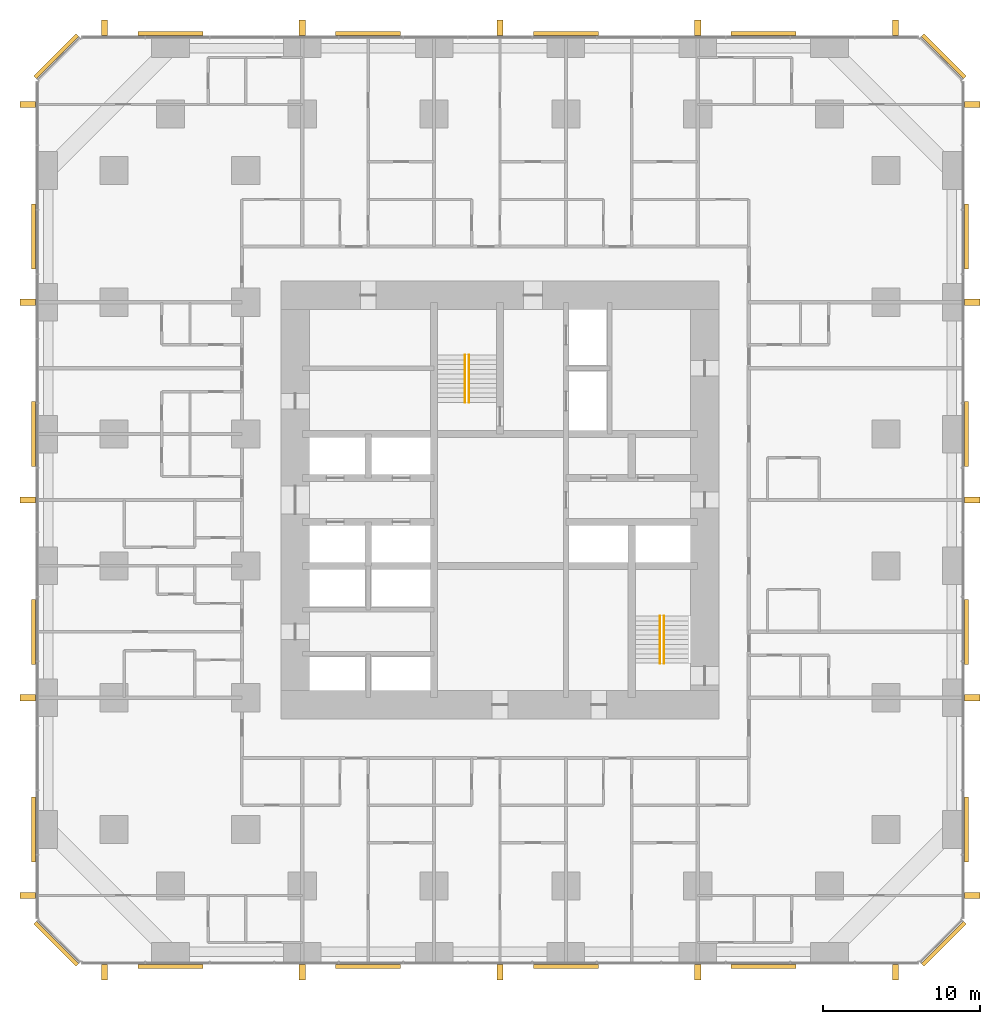
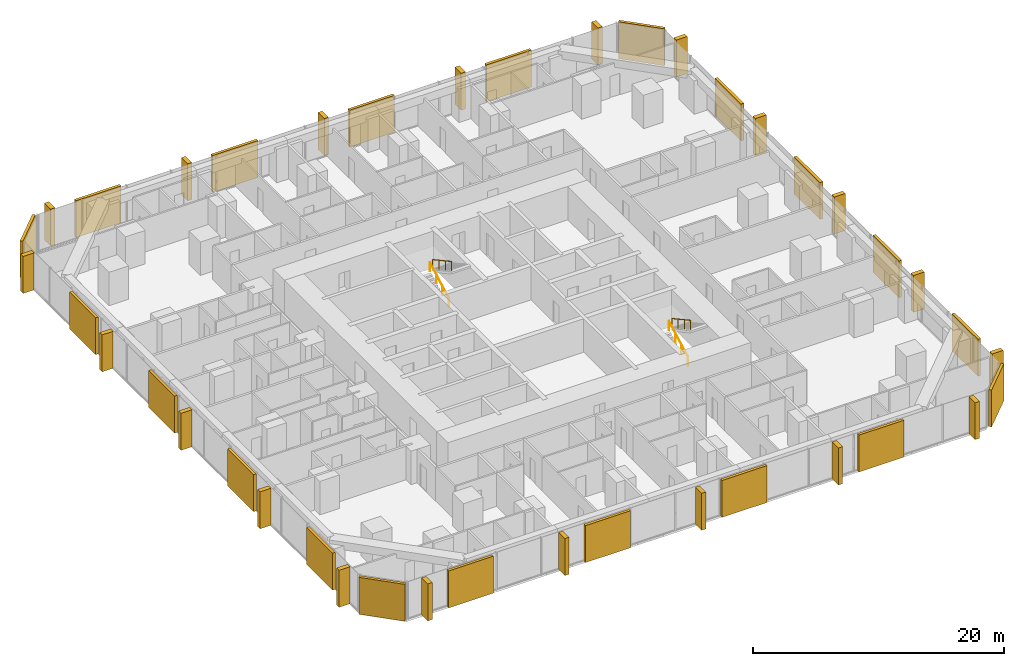
# One storey, part 17 of 17: 20 coverings, 20 shading devices, 4 railings.
"""IFC4 building model written with IfcOpenShell, lengths in metres."""

from ifc_helpers import new_model, si_unit, direction, frame, origin, origin_2d, place, context, subcontext, project, spatial, rectangle, circle, extrude, material, layer, layer_set, type_object, element, save


model = new_model("IFC4")

# Units and contexts
model_context = context("Model", 3, precision=1e-05, world=origin(), true_north=direction((0.0, 1.0)))
body_context = subcontext(model_context, "Body", "Model", "MODEL_VIEW")
ifc_project = project(units=[si_unit("LENGTHUNIT", "METRE"), si_unit("AREAUNIT", "SQUARE_METRE"), si_unit("VOLUMEUNIT", "CUBIC_METRE"), si_unit("PLANEANGLEUNIT", "RADIAN"), si_unit("MASSUNIT", "GRAM", prefix="KILO")], contexts=[model_context])

# Site, building, storey
site_placement = place(None, origin())
site = spatial("IfcSite", under=ifc_project, at=site_placement, CompositionType="ELEMENT")
building_placement = place(site_placement, origin())
building = spatial("IfcBuilding", under=site, at=building_placement, Name="Dunama Terrace Hotel", CompositionType="ELEMENT")
storey_placement = place(building_placement, frame((0.0, 0.0, 48.60009765625)))
storey = spatial("IfcBuildingStorey", under=building, at=storey_placement, Name="L11", CompositionType="ELEMENT", Elevation=48.60009765625)

# Railings
ifc_material_1 = material(Name="Stainless steel handrail", Category="steel")
railing_type = type_object("IfcRailingType", Name="Stair handrail 900", PredefinedType="HANDRAIL", material=ifc_material_1)
railing_1_placement = place(storey_placement, frame((27.175048828125, 35.625, 0.16357421875)))
element("IfcRailing", 1, at=railing_1_placement, inside=storey, type_object=railing_type, Name="Handrail ST1 L11", PredefinedType="HANDRAIL", context=body_context, shape_type="SweptSolid", body=[
    extrude(circle(Radius=0.02392578125, at=origin_2d()), frame((0.0, 0.0, 0.8759765625), z_axis=(0.0, 0.877911954615, 0.47882209634), x_axis=(-1.0, 0.0, 0.0)), (0.0, 0.0, 1.0), 3.417236328125),
    extrude(circle(Radius=0.02099609375, at=origin_2d()), origin(), (0.0, 0.0, 1.0), 0.851806640625),
    extrude(circle(Radius=0.02099609375, at=origin_2d()), frame((0.0, 1.0, 0.54541015625)), (0.0, 0.0, 1.0), 0.851806640625),
    extrude(circle(Radius=0.02099609375, at=origin_2d()), frame((0.0, 2.0, 1.0908203125)), (0.0, 0.0, 1.0), 0.851806640625),
    extrude(circle(Radius=0.02099609375, at=origin_2d()), frame((0.0, 3.0, 1.63623046875)), (0.0, 0.0, 1.0), 0.851806640625),
])
railing_2_placement = place(storey_placement, frame((27.425048828125, 38.625, 1.963623046875)))
element("IfcRailing", 2, at=railing_2_placement, inside=storey, type_object=railing_type, Name="Handrail ST1 L11", PredefinedType="HANDRAIL", context=body_context, shape_type="SweptSolid", body=[
    extrude(circle(Radius=0.02392578125, at=origin_2d()), frame((0.0, 0.0, 0.8759765625), z_axis=(0.0, -0.877911954615, 0.47882209634), x_axis=(1.0, 0.0, 0.0)), (0.0, 0.0, 1.0), 3.417236328125),
    extrude(circle(Radius=0.02099609375, at=origin_2d()), origin(), (0.0, 0.0, 1.0), 0.851806640625),
    extrude(circle(Radius=0.02099609375, at=origin_2d()), frame((0.0, -1.0, 0.54541015625)), (0.0, 0.0, 1.0), 0.851806640625),
    extrude(circle(Radius=0.02099609375, at=origin_2d()), frame((0.0, -2.0, 1.0908203125)), (0.0, 0.0, 1.0), 0.851806640625),
    extrude(circle(Radius=0.02099609375, at=origin_2d()), frame((0.0, -3.0, 1.63623046875)), (0.0, 0.0, 1.0), 0.851806640625),
])
railing_3_placement = place(storey_placement, frame((39.60009765625, 19.0, 0.16357421875)))
element("IfcRailing", 3, at=railing_3_placement, inside=storey, type_object=railing_type, Name="Handrail ST2 L11", PredefinedType="HANDRAIL", context=body_context, shape_type="SweptSolid", body=[
    extrude(circle(Radius=0.02392578125, at=origin_2d()), frame((0.0, 0.0, 0.8759765625), z_axis=(0.0, 0.877911954615, 0.47882209634), x_axis=(-1.0, 0.0, 0.0)), (0.0, 0.0, 1.0), 3.417236328125),
    extrude(circle(Radius=0.02099609375, at=origin_2d()), origin(), (0.0, 0.0, 1.0), 0.851806640625),
    extrude(circle(Radius=0.02099609375, at=origin_2d()), frame((0.0, 1.0, 0.54541015625)), (0.0, 0.0, 1.0), 0.851806640625),
    extrude(circle(Radius=0.02099609375, at=origin_2d()), frame((0.0, 2.0, 1.0908203125)), (0.0, 0.0, 1.0), 0.851806640625),
    extrude(circle(Radius=0.02099609375, at=origin_2d()), frame((0.0, 3.0, 1.63623046875)), (0.0, 0.0, 1.0), 0.851806640625),
])
railing_4_placement = place(storey_placement, frame((39.85009765625, 22.0, 1.963623046875)))
element("IfcRailing", 4, at=railing_4_placement, inside=storey, type_object=railing_type, Name="Handrail ST2 L11", PredefinedType="HANDRAIL", context=body_context, shape_type="SweptSolid", body=[
    extrude(circle(Radius=0.02392578125, at=origin_2d()), frame((0.0, 0.0, 0.8759765625), z_axis=(0.0, -0.877911954615, 0.47882209634), x_axis=(1.0, 0.0, 0.0)), (0.0, 0.0, 1.0), 3.417236328125),
    extrude(circle(Radius=0.02099609375, at=origin_2d()), origin(), (0.0, 0.0, 1.0), 0.851806640625),
    extrude(circle(Radius=0.02099609375, at=origin_2d()), frame((0.0, -1.0, 0.54541015625)), (0.0, 0.0, 1.0), 0.851806640625),
    extrude(circle(Radius=0.02099609375, at=origin_2d()), frame((0.0, -2.0, 1.0908203125)), (0.0, 0.0, 1.0), 0.851806640625),
    extrude(circle(Radius=0.02099609375, at=origin_2d()), frame((0.0, -3.0, 1.63623046875)), (0.0, 0.0, 1.0), 0.851806640625),
])

# Coverings
ifc_material_2 = material(Name="Warm reconstituted stone panel", Category="masonry")
ifc_layer_1 = layer(ifc_material_2, 0.25)
ifc_layer_set_1 = layer_set([ifc_layer_1], Name="Stone diagonal panel")
covering_type = type_object("IfcCoveringType", Name="Stone diagonal panel", PredefinedType="CLADDING", material=ifc_layer_set_1)
for number, where, z_axis, x_axis, name in (
    (5, (8.39990234375, -0.322998046875, 0.001953125), (0.0, 0.0, 1.0), (1.0, 0.0, 0.0), "Stone diagonal panel L11"),
    (6, (21.0, -0.322998046875, 0.001953125), (0.0, 0.0, 1.0), (1.0, 0.0, 0.0), "Stone diagonal panel L11"),
    (7, (33.60009765625, -0.322998046875, 0.001953125), (0.0, 0.0, 1.0), (1.0, 0.0, 0.0), "Stone diagonal panel L11"),
    (8, (46.199951171875, -0.322998046875, 0.001953125), (0.0, 0.0, 1.0), (1.0, 0.0, 0.0), "Stone diagonal panel L11"),
):
    element("IfcCovering", number, at=place(storey_placement, frame(where, z_axis=z_axis, x_axis=x_axis)), inside=storey, type_object=covering_type, Name=name, PredefinedType="CLADDING", context=body_context, shape_type="SweptSolid", body=[
        extrude(rectangle(XDim=4.14990234375, YDim=0.25, at=origin_2d()), origin(), (0.0, 0.0, 1.0), 3.595947265625),
    ])
covering_1_placement = place(storey_placement, frame((57.678955078125, 1.12109375, 0.001953125), z_axis=(0.0, 0.0, 1.0), x_axis=(0.707106781187, 0.707106781187, 0.0)))
element("IfcCovering", 9, at=covering_1_placement, inside=storey, type_object=covering_type, Name="Stone diagonal panel L11", PredefinedType="CLADDING", context=body_context, shape_type="SweptSolid", body=[
    extrude(rectangle(XDim=3.808349609375, YDim=0.25, at=origin_2d()), origin(), (0.0, 0.0, 1.0), 3.595947265625),
])
for number, where, z_axis, x_axis, name in (
    (10, (59.123046875, 8.39990234375, 0.001953125), (0.0, 0.0, 1.0), (0.0, 1.0, 0.0), "Stone diagonal panel L11"),
    (11, (59.123046875, 21.0, 0.001953125), (0.0, 0.0, 1.0), (0.0, 1.0, 0.0), "Stone diagonal panel L11"),
    (12, (59.123046875, 33.60009765625, 0.001953125), (0.0, 0.0, 1.0), (0.0, 1.0, 0.0), "Stone diagonal panel L11"),
    (13, (59.123046875, 46.199951171875, 0.001953125), (0.0, 0.0, 1.0), (0.0, 1.0, 0.0), "Stone diagonal panel L11"),
):
    element("IfcCovering", number, at=place(storey_placement, frame(where, z_axis=z_axis, x_axis=x_axis)), inside=storey, type_object=covering_type, Name=name, PredefinedType="CLADDING", context=body_context, shape_type="SweptSolid", body=[
        extrude(rectangle(XDim=4.14990234375, YDim=0.25, at=origin_2d()), origin(), (0.0, 0.0, 1.0), 3.595947265625),
    ])
covering_2_placement = place(storey_placement, frame((57.678955078125, 57.678955078125, 0.001953125), z_axis=(0.0, 0.0, 1.0), x_axis=(-0.707106781187, 0.707106781187, 0.0)))
element("IfcCovering", 14, at=covering_2_placement, inside=storey, type_object=covering_type, Name="Stone diagonal panel L11", PredefinedType="CLADDING", context=body_context, shape_type="SweptSolid", body=[
    extrude(rectangle(XDim=3.808349609375, YDim=0.25, at=origin_2d()), origin(), (0.0, 0.0, 1.0), 3.595947265625),
])
for number, where, z_axis, x_axis, name in (
    (15, (46.199951171875, 59.123046875, 0.001953125), (0.0, 0.0, 1.0), (-1.0, 0.0, 0.0), "Stone diagonal panel L11"),
    (16, (33.60009765625, 59.123046875, 0.001953125), (0.0, 0.0, 1.0), (-1.0, 0.0, 0.0), "Stone diagonal panel L11"),
    (17, (21.0, 59.123046875, 0.001953125), (0.0, 0.0, 1.0), (-1.0, 0.0, 0.0), "Stone diagonal panel L11"),
    (18, (8.39990234375, 59.123046875, 0.001953125), (0.0, 0.0, 1.0), (-1.0, 0.0, 0.0), "Stone diagonal panel L11"),
):
    element("IfcCovering", number, at=place(storey_placement, frame(where, z_axis=z_axis, x_axis=x_axis)), inside=storey, type_object=covering_type, Name=name, PredefinedType="CLADDING", context=body_context, shape_type="SweptSolid", body=[
        extrude(rectangle(XDim=4.14990234375, YDim=0.25, at=origin_2d()), origin(), (0.0, 0.0, 1.0), 3.595947265625),
    ])
covering_3_placement = place(storey_placement, frame((1.12109375, 57.678955078125, 0.001953125), z_axis=(0.0, 0.0, 1.0), x_axis=(-0.707106781187, -0.707106781187, 0.0)))
element("IfcCovering", 19, at=covering_3_placement, inside=storey, type_object=covering_type, Name="Stone diagonal panel L11", PredefinedType="CLADDING", context=body_context, shape_type="SweptSolid", body=[
    extrude(rectangle(XDim=3.808349609375, YDim=0.25, at=origin_2d()), origin(), (0.0, 0.0, 1.0), 3.595947265625),
])
for number, where, z_axis, x_axis, name in (
    (20, (-0.322998046875, 46.199951171875, 0.001953125), (0.0, 0.0, 1.0), (0.0, -1.0, 0.0), "Stone diagonal panel L11"),
    (21, (-0.322998046875, 33.60009765625, 0.001953125), (0.0, 0.0, 1.0), (0.0, -1.0, 0.0), "Stone diagonal panel L11"),
    (22, (-0.322998046875, 21.0, 0.001953125), (0.0, 0.0, 1.0), (0.0, -1.0, 0.0), "Stone diagonal panel L11"),
    (23, (-0.322998046875, 8.39990234375, 0.001953125), (0.0, 0.0, 1.0), (0.0, -1.0, 0.0), "Stone diagonal panel L11"),
):
    element("IfcCovering", number, at=place(storey_placement, frame(where, z_axis=z_axis, x_axis=x_axis)), inside=storey, type_object=covering_type, Name=name, PredefinedType="CLADDING", context=body_context, shape_type="SweptSolid", body=[
        extrude(rectangle(XDim=4.14990234375, YDim=0.25, at=origin_2d()), origin(), (0.0, 0.0, 1.0), 3.595947265625),
    ])
covering_4_placement = place(storey_placement, frame((1.12109375, 1.12109375, 0.001953125), z_axis=(0.0, 0.0, 1.0), x_axis=(0.707106781187, -0.707106781187, 0.0)))
element("IfcCovering", 24, at=covering_4_placement, inside=storey, type_object=covering_type, Name="Stone diagonal panel L11", PredefinedType="CLADDING", context=body_context, shape_type="SweptSolid", body=[
    extrude(rectangle(XDim=3.808349609375, YDim=0.25, at=origin_2d()), origin(), (0.0, 0.0, 1.0), 3.595947265625),
])

# Shading devices
ifc_material_3 = material(Name="Warm reconstituted stone fin", Category="masonry")
ifc_layer_2 = layer(ifc_material_3, 0.39990234375)
ifc_layer_set_2 = layer_set([ifc_layer_2], Name="Warm stone fin 400x1000")
shading_device_type = type_object("IfcShadingDeviceType", Name="Warm stone fin 400x1000", PredefinedType="USERDEFINED", material=ifc_layer_set_2)
for number, where, z_axis, x_axis, name in (
    (25, (4.199951171875, -0.68798828125, -0.000244140625), (0.0, 0.0, 1.0), (1.0, 0.0, 0.0), "Stone fin"),
    (26, (16.800048828125, -0.68798828125, -0.000244140625), (0.0, 0.0, 1.0), (1.0, 0.0, 0.0), "Stone fin"),
    (27, (29.39990234375, -0.68798828125, -0.000244140625), (0.0, 0.0, 1.0), (1.0, 0.0, 0.0), "Stone fin"),
    (28, (42.0, -0.68798828125, -0.000244140625), (0.0, 0.0, 1.0), (1.0, 0.0, 0.0), "Stone fin"),
    (29, (54.60009765625, -0.68798828125, -0.000244140625), (0.0, 0.0, 1.0), (1.0, 0.0, 0.0), "Stone fin"),
    (30, (59.488037109375, 4.199951171875, -0.000244140625), (0.0, 0.0, 1.0), (0.0, 1.0, 0.0), "Stone fin"),
    (31, (59.488037109375, 16.800048828125, -0.000244140625), (0.0, 0.0, 1.0), (0.0, 1.0, 0.0), "Stone fin"),
    (32, (59.488037109375, 29.39990234375, -0.000244140625), (0.0, 0.0, 1.0), (0.0, 1.0, 0.0), "Stone fin"),
    (33, (59.488037109375, 42.0, -0.000244140625), (0.0, 0.0, 1.0), (0.0, 1.0, 0.0), "Stone fin"),
    (34, (59.488037109375, 54.60009765625, -0.000244140625), (0.0, 0.0, 1.0), (0.0, 1.0, 0.0), "Stone fin"),
    (35, (54.60009765625, 59.488037109375, -0.000244140625), (0.0, 0.0, 1.0), (-1.0, 0.0, 0.0), "Stone fin"),
    (36, (42.0, 59.488037109375, -0.000244140625), (0.0, 0.0, 1.0), (-1.0, 0.0, 0.0), "Stone fin"),
    (37, (29.39990234375, 59.488037109375, -0.000244140625), (0.0, 0.0, 1.0), (-1.0, 0.0, 0.0), "Stone fin"),
    (38, (16.800048828125, 59.488037109375, -0.000244140625), (0.0, 0.0, 1.0), (-1.0, 0.0, 0.0), "Stone fin"),
    (39, (4.199951171875, 59.488037109375, -0.000244140625), (0.0, 0.0, 1.0), (-1.0, 0.0, 0.0), "Stone fin"),
    (40, (-0.68798828125, 54.60009765625, -0.000244140625), (0.0, 0.0, 1.0), (0.0, -1.0, 0.0), "Stone fin"),
    (41, (-0.68798828125, 42.0, -0.000244140625), (0.0, 0.0, 1.0), (0.0, -1.0, 0.0), "Stone fin"),
    (42, (-0.68798828125, 29.39990234375, -0.000244140625), (0.0, 0.0, 1.0), (0.0, -1.0, 0.0), "Stone fin"),
    (43, (-0.68798828125, 16.800048828125, -0.000244140625), (0.0, 0.0, 1.0), (0.0, -1.0, 0.0), "Stone fin"),
    (44, (-0.68798828125, 4.199951171875, -0.000244140625), (0.0, 0.0, 1.0), (0.0, -1.0, 0.0), "Stone fin"),
):
    element("IfcShadingDevice", number, at=place(storey_placement, frame(where, z_axis=z_axis, x_axis=x_axis)), inside=storey, type_object=shading_device_type, Name=name, ObjectType="FIN", PredefinedType="USERDEFINED", context=body_context, shape_type="SweptSolid", body=[
        extrude(rectangle(XDim=0.39990234375, YDim=1.0, at=origin_2d()), origin(), (0.0, 0.0, 1.0), 3.60009765625),
    ])

save(model, "model.ifc")
